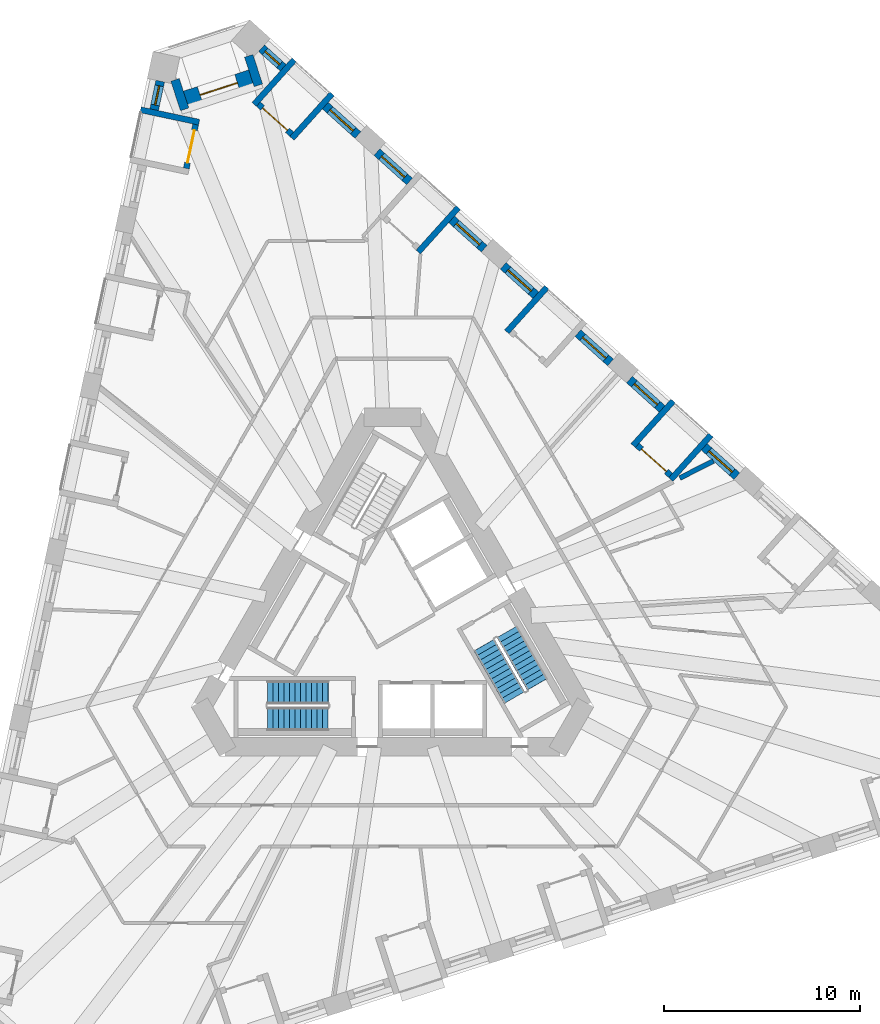
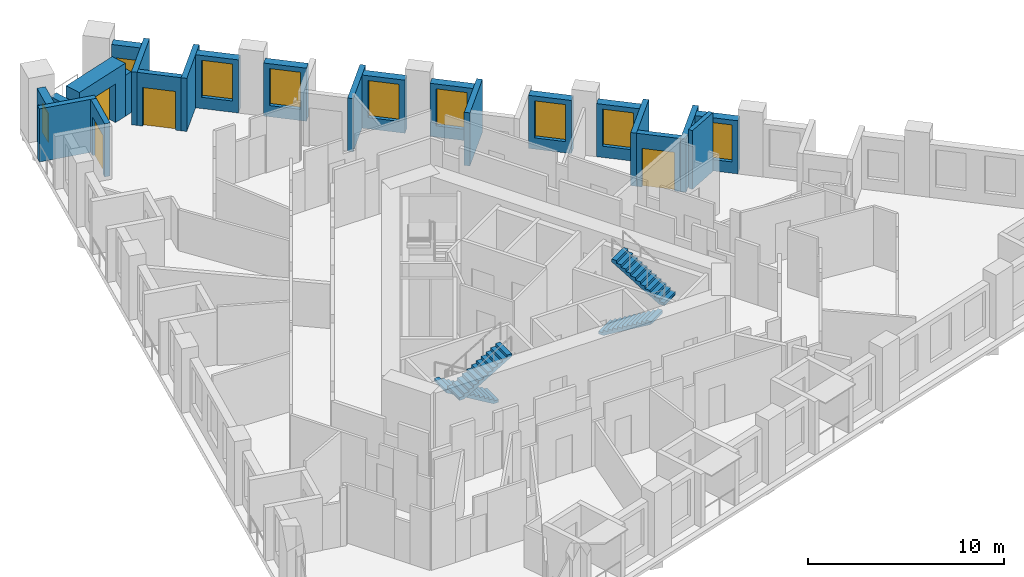
# One storey, part 9 of 13: 23 walls, 9 windows, 4 doors, 4 stair flights, 13 openings, 2 elements without a shape of their own.
"""IFC4 building model written with IfcOpenShell, lengths in metres."""

from ifc_helpers import new_model, si_unit, direction, frame, frame_2d, origin, place, context, subcontext, project, spatial, polyline, rectangle, outline, extrude, material, layer, layer_set, type_object, element, fill, aggregate, save


model = new_model("IFC4")

# Units and contexts
model_context = context("Model", 3, precision=1e-05, world=origin(), true_north=direction((0.0, 1.0)))
body_context = subcontext(model_context, "Body", "Model", "MODEL_VIEW")
ifc_project = project(units=[si_unit("LENGTHUNIT", "METRE"), si_unit("AREAUNIT", "SQUARE_METRE"), si_unit("VOLUMEUNIT", "CUBIC_METRE"), si_unit("PLANEANGLEUNIT", "RADIAN"), si_unit("MASSUNIT", "GRAM", prefix="KILO")], contexts=[model_context])

# Site, building, storey
site_placement = place(None, origin())
site = spatial("IfcSite", under=ifc_project, at=site_placement, CompositionType="ELEMENT")
building_placement = place(site_placement, origin())
building = spatial("IfcBuilding", under=site, at=building_placement, Name="Tramontana Tower", CompositionType="ELEMENT")
storey_placement = place(building_placement, frame((0.0, 0.0, 112.39990234375)))
storey = spatial("IfcBuildingStorey", under=building, at=storey_placement, Name="L25", CompositionType="ELEMENT", Elevation=112.39990234375)

# Wall, opening, window
ifc_material_1 = material(Name="Precast concrete 60 MPa", Category="concrete")
ifc_layer_1 = layer(ifc_material_1, 0.449951171875)
ifc_layer_set_1 = layer_set([ifc_layer_1], Name="Precast concrete 60 MPa, 450 mm")
wall_type_1 = type_object("IfcWallType", Name="EW1 Stone-faced precast wall 450", PredefinedType="SOLIDWALL", material=ifc_layer_set_1)
wall_1_placement = place(storey_placement, frame((-11.835693359375, 27.645751953125, 0.0), z_axis=(0.0, 0.0, 1.0), x_axis=(-0.207880358131, -0.978154260178, 0.0)))
wall_1 = element("IfcWall", 1, at=wall_1_placement, inside=storey, type_object=wall_type_1, Name="External wall L25 face 0 bay 1", PredefinedType="SOLIDWALL", context=body_context, shape_type="SweptSolid", body=[
    extrude(rectangle(XDim=1.48681640625, YDim=0.449951171875, at=frame_2d((0.743408203125, 0.0))), origin(), (0.0, 0.0, 1.0), 3.300048828125),
])
opening_1_placement = place(wall_1_placement, frame((0.243408203125, 0.0, 0.699951171875)))
opening_1 = element("IfcOpeningElement", 2, at=opening_1_placement, cuts=wall_1, Name="Opening N1L", PredefinedType="OPENING", context=body_context, shape_type="SweptSolid", body=[
    extrude(rectangle(XDim=1.0, YDim=1.800048828125, at=frame_2d((0.5, 0.89990234375))), frame((0.0, 0.23486328125, 0.0), z_axis=(0.0, -1.0, 0.0), x_axis=(1.0, 0.0, 0.0)), (0.0, 0.0, 1.0), 0.469970703125),
])
ifc_material_2 = material(Name="Aluminum frame, double glazing unit", Category="aluminium")
window_type_1 = type_object("IfcWindowType", Name="N1L Window 1 x 1.8", PartitioningType="SINGLE_PANEL", PredefinedType="WINDOW", material=ifc_material_2)
window_1_placement = place(opening_1_placement, origin())
window_1 = element("IfcWindow", 3, at=window_1_placement, inside=storey, type_object=window_type_1, Name="Window N1L L25 face 0 module 1", OverallHeight=1.800048828125, OverallWidth=1.0, PartitioningType="SINGLE_PANEL", PredefinedType="WINDOW", context=body_context, shape_type="SweptSolid", body=[
    extrude(rectangle(XDim=1.0, YDim=1.800048828125, at=frame_2d((0.5, 0.89990234375))), frame((0.0, 0.030029296875, 0.0), z_axis=(0.0, -1.0, 0.0), x_axis=(1.0, 0.0, 0.0)), (0.0, 0.0, 1.0), 0.06005859375),
])
fill(opening_1, window_1)

wall_2_placement = place(storey_placement, frame((17.54541015625, 7.51513671875, 0.0), z_axis=(0.0, 0.0, 1.0), x_axis=(-0.743142151309, 0.669133576311, 0.0)))
wall_2 = element("IfcWall", 4, at=wall_2_placement, inside=storey, type_object=wall_type_1, Name="External wall L25 face 2 bay 3", PredefinedType="SOLIDWALL", context=body_context, shape_type="SweptSolid", body=[
    extrude(rectangle(XDim=2.236572265625, YDim=0.449951171875, at=frame_2d((1.1181640625, 0.0))), origin(), (0.0, 0.0, 1.0), 3.300048828125),
])
opening_2_placement = place(wall_2_placement, frame((0.318359375, 0.0, 0.699951171875)))
opening_2 = element("IfcOpeningElement", 5, at=opening_2_placement, cuts=wall_2, Name="Opening M1", PredefinedType="OPENING", context=body_context, shape_type="SweptSolid", body=[
    extrude(rectangle(XDim=1.60009765625, YDim=2.300048828125, at=frame_2d((0.800048828125, 1.14990234375))), frame((0.0, 0.23486328125, 0.0), z_axis=(0.0, -1.0, 0.0), x_axis=(1.0, 0.0, 0.0)), (0.0, 0.0, 1.0), 0.469970703125),
])
ifc_material_3 = material(Name="Aluminum frame, double glazing unit", Category="aluminium")
window_type_2 = type_object("IfcWindowType", Name="M1 Window 1.6 x 2.3", PartitioningType="SINGLE_PANEL", PredefinedType="WINDOW", material=ifc_material_3)
window_2_placement = place(opening_2_placement, origin())
window_2 = element("IfcWindow", 6, at=window_2_placement, inside=storey, type_object=window_type_2, Name="Window M1 L25 face 2 module 7", OverallHeight=2.300048828125, OverallWidth=1.60009765625, PartitioningType="SINGLE_PANEL", PredefinedType="WINDOW", context=body_context, shape_type="SweptSolid", body=[
    extrude(rectangle(XDim=1.60009765625, YDim=2.300048828125, at=frame_2d((0.800048828125, 1.14990234375))), frame((0.0, 0.030029296875, 0.0), z_axis=(0.0, -1.0, 0.0), x_axis=(1.0, 0.0, 0.0)), (0.0, 0.0, 1.0), 0.06005859375),
])
fill(opening_2, window_2)

wall_3_placement = place(storey_placement, frame((13.738037109375, 10.943359375, 0.0), z_axis=(0.0, 0.0, 1.0), x_axis=(-0.743191019375, 0.669079299276, 0.0)))
wall_3 = element("IfcWall", 7, at=wall_3_placement, inside=storey, type_object=wall_type_1, Name="External wall L25 face 2 bay 3", PredefinedType="SOLIDWALL", context=body_context, shape_type="SweptSolid", body=[
    extrude(rectangle(XDim=2.23681640625, YDim=0.449951171875, at=frame_2d((1.118408203125, 0.0))), origin(), (0.0, 0.0, 1.0), 3.300048828125),
])
opening_3_placement = place(wall_3_placement, frame((0.318359375, 0.0, 0.699951171875)))
opening_3 = element("IfcOpeningElement", 8, at=opening_3_placement, cuts=wall_3, Name="Opening M1", PredefinedType="OPENING", context=body_context, shape_type="SweptSolid", body=[
    extrude(rectangle(XDim=1.60009765625, YDim=2.300048828125, at=frame_2d((0.800048828125, 1.14990234375))), frame((0.0, 0.23486328125, 0.0), z_axis=(0.0, -1.0, 0.0), x_axis=(1.0, 0.0, 0.0)), (0.0, 0.0, 1.0), 0.469970703125),
])
window_3_placement = place(opening_3_placement, origin())
window_3 = element("IfcWindow", 9, at=window_3_placement, inside=storey, type_object=window_type_2, Name="Window M1 L25 face 2 module 9", OverallHeight=2.300048828125, OverallWidth=1.60009765625, PartitioningType="SINGLE_PANEL", PredefinedType="WINDOW", context=body_context, shape_type="SweptSolid", body=[
    extrude(rectangle(XDim=1.60009765625, YDim=2.300048828125, at=frame_2d((0.800048828125, 1.14990234375))), frame((0.0, 0.030029296875, 0.0), z_axis=(0.0, -1.0, 0.0), x_axis=(1.0, 0.0, 0.0)), (0.0, 0.0, 1.0), 0.06005859375),
])
fill(opening_3, window_3)

wall_4_placement = place(storey_placement, frame((11.109619140625, 13.309814453125, 0.0), z_axis=(0.0, 0.0, 1.0), x_axis=(-0.743087873176, 0.669193852885, 0.0)))
wall_4 = element("IfcWall", 10, at=wall_4_placement, inside=storey, type_object=wall_type_1, Name="External wall L25 face 2 bay 4", PredefinedType="SOLIDWALL", context=body_context, shape_type="SweptSolid", body=[
    extrude(rectangle(XDim=2.23681640625, YDim=0.449951171875, at=frame_2d((1.118408203125, 0.0))), origin(), (0.0, 0.0, 1.0), 3.300048828125),
])
opening_4_placement = place(wall_4_placement, frame((0.318359375, 0.0, 0.699951171875)))
opening_4 = element("IfcOpeningElement", 11, at=opening_4_placement, cuts=wall_4, Name="Opening M1", PredefinedType="OPENING", context=body_context, shape_type="SweptSolid", body=[
    extrude(rectangle(XDim=1.60009765625, YDim=2.300048828125, at=frame_2d((0.800048828125, 1.14990234375))), frame((0.0, 0.23486328125, 0.0), z_axis=(0.0, -1.0, 0.0), x_axis=(1.0, 0.0, 0.0)), (0.0, 0.0, 1.0), 0.469970703125),
])
window_4_placement = place(opening_4_placement, origin())
window_4 = element("IfcWindow", 12, at=window_4_placement, inside=storey, type_object=window_type_2, Name="Window M1 L25 face 2 module 10", OverallHeight=2.300048828125, OverallWidth=1.60009765625, PartitioningType="SINGLE_PANEL", PredefinedType="WINDOW", context=body_context, shape_type="SweptSolid", body=[
    extrude(rectangle(XDim=1.60009765625, YDim=2.300048828125, at=frame_2d((0.800048828125, 1.14990234375))), frame((0.0, 0.030029296875, 0.0), z_axis=(0.0, -1.0, 0.0), x_axis=(1.0, 0.0, 0.0)), (0.0, 0.0, 1.0), 0.06005859375),
])
fill(opening_4, window_4)

wall_5_placement = place(storey_placement, frame((7.30224609375, 16.73828125, 0.0), z_axis=(0.0, 0.0, 1.0), x_axis=(-0.743191019375, 0.669079299276, 0.0)))
wall_5 = element("IfcWall", 13, at=wall_5_placement, inside=storey, type_object=wall_type_1, Name="External wall L25 face 2 bay 4", PredefinedType="SOLIDWALL", context=body_context, shape_type="SweptSolid", body=[
    extrude(rectangle(XDim=2.23681640625, YDim=0.449951171875, at=frame_2d((1.118408203125, 0.0))), origin(), (0.0, 0.0, 1.0), 3.300048828125),
])
opening_5_placement = place(wall_5_placement, frame((0.318359375, 0.0, 0.699951171875)))
opening_5 = element("IfcOpeningElement", 14, at=opening_5_placement, cuts=wall_5, Name="Opening M1", PredefinedType="OPENING", context=body_context, shape_type="SweptSolid", body=[
    extrude(rectangle(XDim=1.60009765625, YDim=2.300048828125, at=frame_2d((0.800048828125, 1.14990234375))), frame((0.0, 0.23486328125, 0.0), z_axis=(0.0, -1.0, 0.0), x_axis=(1.0, 0.0, 0.0)), (0.0, 0.0, 1.0), 0.469970703125),
])
window_5_placement = place(opening_5_placement, origin())
window_5 = element("IfcWindow", 15, at=window_5_placement, inside=storey, type_object=window_type_2, Name="Window M1 L25 face 2 module 12", OverallHeight=2.300048828125, OverallWidth=1.60009765625, PartitioningType="SINGLE_PANEL", PredefinedType="WINDOW", context=body_context, shape_type="SweptSolid", body=[
    extrude(rectangle(XDim=1.60009765625, YDim=2.300048828125, at=frame_2d((0.800048828125, 1.14990234375))), frame((0.0, 0.030029296875, 0.0), z_axis=(0.0, -1.0, 0.0), x_axis=(1.0, 0.0, 0.0)), (0.0, 0.0, 1.0), 0.06005859375),
])
fill(opening_5, window_5)

wall_6_placement = place(storey_placement, frame((4.673828125, 19.104736328125, 0.0), z_axis=(0.0, 0.0, 1.0), x_axis=(-0.743191019375, 0.669079299276, 0.0)))
wall_6 = element("IfcWall", 16, at=wall_6_placement, inside=storey, type_object=wall_type_1, Name="External wall L25 face 2 bay 5", PredefinedType="SOLIDWALL", context=body_context, shape_type="SweptSolid", body=[
    extrude(rectangle(XDim=2.23681640625, YDim=0.449951171875, at=frame_2d((1.118408203125, 0.0))), origin(), (0.0, 0.0, 1.0), 3.300048828125),
])
opening_6_placement = place(wall_6_placement, frame((0.318359375, 0.0, 0.699951171875)))
opening_6 = element("IfcOpeningElement", 17, at=opening_6_placement, cuts=wall_6, Name="Opening M1", PredefinedType="OPENING", context=body_context, shape_type="SweptSolid", body=[
    extrude(rectangle(XDim=1.60009765625, YDim=2.300048828125, at=frame_2d((0.800048828125, 1.14990234375))), frame((0.0, 0.23486328125, 0.0), z_axis=(0.0, -1.0, 0.0), x_axis=(1.0, 0.0, 0.0)), (0.0, 0.0, 1.0), 0.469970703125),
])
window_6_placement = place(opening_6_placement, origin())
window_6 = element("IfcWindow", 18, at=window_6_placement, inside=storey, type_object=window_type_2, Name="Window M1 L25 face 2 module 13", OverallHeight=2.300048828125, OverallWidth=1.60009765625, PartitioningType="SINGLE_PANEL", PredefinedType="WINDOW", context=body_context, shape_type="SweptSolid", body=[
    extrude(rectangle(XDim=1.60009765625, YDim=2.300048828125, at=frame_2d((0.800048828125, 1.14990234375))), frame((0.0, 0.030029296875, 0.0), z_axis=(0.0, -1.0, 0.0), x_axis=(1.0, 0.0, 0.0)), (0.0, 0.0, 1.0), 0.06005859375),
])
fill(opening_6, window_6)

wall_7_placement = place(storey_placement, frame((0.8662109375, 22.532958984375, 0.0), z_axis=(0.0, 0.0, 1.0), x_axis=(-0.743087873176, 0.669193852885, 0.0)))
wall_7 = element("IfcWall", 19, at=wall_7_placement, inside=storey, type_object=wall_type_1, Name="External wall L25 face 2 bay 5", PredefinedType="SOLIDWALL", context=body_context, shape_type="SweptSolid", body=[
    extrude(rectangle(XDim=2.23681640625, YDim=0.449951171875, at=frame_2d((1.118408203125, 0.0))), origin(), (0.0, 0.0, 1.0), 3.300048828125),
])
opening_7_placement = place(wall_7_placement, frame((0.318359375, 0.0, 0.699951171875)))
opening_7 = element("IfcOpeningElement", 20, at=opening_7_placement, cuts=wall_7, Name="Opening M1", PredefinedType="OPENING", context=body_context, shape_type="SweptSolid", body=[
    extrude(rectangle(XDim=1.60009765625, YDim=2.300048828125, at=frame_2d((0.800048828125, 1.14990234375))), frame((0.0, 0.23486328125, 0.0), z_axis=(0.0, -1.0, 0.0), x_axis=(1.0, 0.0, 0.0)), (0.0, 0.0, 1.0), 0.469970703125),
])
window_7_placement = place(opening_7_placement, origin())
window_7 = element("IfcWindow", 21, at=window_7_placement, inside=storey, type_object=window_type_2, Name="Window M1 L25 face 2 module 15", OverallHeight=2.300048828125, OverallWidth=1.60009765625, PartitioningType="SINGLE_PANEL", PredefinedType="WINDOW", context=body_context, shape_type="SweptSolid", body=[
    extrude(rectangle(XDim=1.60009765625, YDim=2.300048828125, at=frame_2d((0.800048828125, 1.14990234375))), frame((0.0, 0.030029296875, 0.0), z_axis=(0.0, -1.0, 0.0), x_axis=(1.0, 0.0, 0.0)), (0.0, 0.0, 1.0), 0.06005859375),
])
fill(opening_7, window_7)

wall_8_placement = place(storey_placement, frame((-1.761962890625, 24.899658203125, 0.0), z_axis=(0.0, 0.0, 1.0), x_axis=(-0.743191019375, 0.669079299276, 0.0)))
wall_8 = element("IfcWall", 22, at=wall_8_placement, inside=storey, type_object=wall_type_1, Name="External wall L25 face 2 bay 6", PredefinedType="SOLIDWALL", context=body_context, shape_type="SweptSolid", body=[
    extrude(rectangle(XDim=2.23681640625, YDim=0.449951171875, at=frame_2d((1.118408203125, 0.0))), origin(), (0.0, 0.0, 1.0), 3.300048828125),
])
opening_8_placement = place(wall_8_placement, frame((0.318359375, 0.0, 0.699951171875)))
opening_8 = element("IfcOpeningElement", 23, at=opening_8_placement, cuts=wall_8, Name="Opening M1", PredefinedType="OPENING", context=body_context, shape_type="SweptSolid", body=[
    extrude(rectangle(XDim=1.60009765625, YDim=2.300048828125, at=frame_2d((0.800048828125, 1.14990234375))), frame((0.0, 0.23486328125, 0.0), z_axis=(0.0, -1.0, 0.0), x_axis=(1.0, 0.0, 0.0)), (0.0, 0.0, 1.0), 0.469970703125),
])
window_8_placement = place(opening_8_placement, origin())
window_8 = element("IfcWindow", 24, at=window_8_placement, inside=storey, type_object=window_type_2, Name="Window M1 L25 face 2 module 16", OverallHeight=2.300048828125, OverallWidth=1.60009765625, PartitioningType="SINGLE_PANEL", PredefinedType="WINDOW", context=body_context, shape_type="SweptSolid", body=[
    extrude(rectangle(XDim=1.60009765625, YDim=2.300048828125, at=frame_2d((0.800048828125, 1.14990234375))), frame((0.0, 0.030029296875, 0.0), z_axis=(0.0, -1.0, 0.0), x_axis=(1.0, 0.0, 0.0)), (0.0, 0.0, 1.0), 0.06005859375),
])
fill(opening_8, window_8)

wall_9_placement = place(storey_placement, frame((-5.569580078125, 28.327880859375, 0.0), z_axis=(0.0, 0.0, 1.0), x_axis=(-0.743089972274, 0.669191521992, 0.0)))
wall_9 = element("IfcWall", 25, at=wall_9_placement, inside=storey, type_object=wall_type_1, Name="External wall L25 face 2 bay 6", PredefinedType="SOLIDWALL", context=body_context, shape_type="SweptSolid", body=[
    extrude(rectangle(XDim=1.486572265625, YDim=0.449951171875, at=frame_2d((0.7431640625, 0.0))), origin(), (0.0, 0.0, 1.0), 3.300048828125),
])
opening_9_placement = place(wall_9_placement, frame((0.243408203125, 0.0, 0.699951171875)))
opening_9 = element("IfcOpeningElement", 26, at=opening_9_placement, cuts=wall_9, Name="Opening N1L", PredefinedType="OPENING", context=body_context, shape_type="SweptSolid", body=[
    extrude(rectangle(XDim=1.0, YDim=1.800048828125, at=frame_2d((0.5, 0.89990234375))), frame((0.0, 0.23486328125, 0.0), z_axis=(0.0, -1.0, 0.0), x_axis=(1.0, 0.0, 0.0)), (0.0, 0.0, 1.0), 0.469970703125),
])
window_9_placement = place(opening_9_placement, origin())
window_9 = element("IfcWindow", 27, at=window_9_placement, inside=storey, type_object=window_type_1, Name="Window N1L L25 face 2 module 18", OverallHeight=1.800048828125, OverallWidth=1.0, PartitioningType="SINGLE_PANEL", PredefinedType="WINDOW", context=body_context, shape_type="SweptSolid", body=[
    extrude(rectangle(XDim=1.0, YDim=1.800048828125, at=frame_2d((0.5, 0.89990234375))), frame((0.0, 0.030029296875, 0.0), z_axis=(0.0, -1.0, 0.0), x_axis=(1.0, 0.0, 0.0)), (0.0, 0.0, 1.0), 0.06005859375),
])
fill(opening_9, window_9)

# Walls
for number, where, z_axis, x_axis, name in (
    (28, (-11.08056640625, 27.71142578125, 0.0), (0.0, 0.0, 1.0), (0.309030142399, -0.951052244143, 0.0), "Corner loggia side wall L25 K20l"),
    (29, (-7.323974609375, 28.93212890625, 0.0), (0.0, 0.0, 1.0), (0.309030142399, -0.951052244143, 0.0), "Corner loggia side wall L25 K20r"),
):
    element("IfcWall", number, at=place(storey_placement, frame(where, z_axis=z_axis, x_axis=x_axis)), inside=storey, type_object=wall_type_1, Name=name, PredefinedType="SOLIDWALL", context=body_context, shape_type="SweptSolid", body=[
        extrude(rectangle(XDim=1.579345703125, YDim=0.449951171875, at=frame_2d((0.78955078125, 0.0))), origin(), (0.0, 0.0, 1.0), 2.550048828125),
    ])

# Wall, opening, door
ifc_material_4 = material(Name="Precast concrete 60 MPa", Category="concrete")
ifc_layer_2 = layer(ifc_material_4, 0.89990234375)
ifc_layer_set_2 = layer_set([ifc_layer_2], Name="EW2 Stone-faced corner loggia wall 900")
wall_type_2 = type_object("IfcWallType", Name="EW2 Stone-faced corner loggia wall 900", PredefinedType="SOLIDWALL", material=ifc_layer_set_2)
wall_10_placement = place(storey_placement, frame((-10.517578125, 26.70703125, 0.0), z_axis=(0.0, 0.0, 1.0), x_axis=(0.951055596592, 0.309019824916, 0.0)))
wall_10 = element("IfcWall", 30, at=wall_10_placement, inside=storey, type_object=wall_type_2, Name="Corner loggia wall L25 K20", PredefinedType="SOLIDWALL", context=body_context, shape_type="SweptSolid", body=[
    extrude(rectangle(XDim=3.5, YDim=0.89990234375, at=frame_2d((1.75, 0.0))), origin(), (0.0, 0.0, 1.0), 3.300048828125),
])
opening_10_placement = place(wall_10_placement, frame((0.75, 0.0, 0.0)))
opening_10 = element("IfcOpeningElement", 31, at=opening_10_placement, cuts=wall_10, Name="Opening BD-20C", PredefinedType="OPENING", context=body_context, shape_type="SweptSolid", body=[
    extrude(rectangle(XDim=2.0, YDim=2.39990234375, at=frame_2d((1.0, 1.199951171875))), frame((0.0, 0.4599609375, 0.0), z_axis=(0.0, -1.0, 0.0), x_axis=(1.0, 0.0, 0.0)), (0.0, 0.0, 1.0), 0.919921875),
])
ifc_material_5 = material(Name="Aluminum frame, double glazing unit", Category="aluminium")
door_type_1 = type_object("IfcDoorType", Name="BC1 Sliding door 2 x 2.4", OperationType="SLIDING_TO_LEFT", PredefinedType="DOOR", material=ifc_material_5)
door_1_placement = place(opening_10_placement, origin())
door_1 = element("IfcDoor", 32, at=door_1_placement, inside=storey, type_object=door_type_1, Name="Corner loggia door L25 K20", OperationType="SLIDING_TO_LEFT", OverallHeight=2.39990234375, OverallWidth=2.0, PredefinedType="DOOR", context=body_context, shape_type="SweptSolid", body=[
    extrude(rectangle(XDim=2.0, YDim=2.39990234375, at=frame_2d((1.0, 1.199951171875))), frame((0.0, 0.02490234375, 0.0), z_axis=(0.0, -1.0, 0.0), x_axis=(1.0, 0.0, 0.0)), (0.0, 0.0, 1.0), 0.050048828125),
])
fill(opening_10, door_1)

ifc_material_6 = material(Name="Precast concrete 60 MPa", Category="concrete")
ifc_layer_3 = layer(ifc_material_6, 0.300048828125)
ifc_layer_set_3 = layer_set([ifc_layer_3], Name="LW1 Stone-faced loggia wall 300")
wall_type_3 = type_object("IfcWallType", Name="LW1 Stone-faced loggia wall 300", PredefinedType="SOLIDWALL", material=ifc_layer_set_3)
wall_11_placement = place(storey_placement, frame((-10.031005859375, 25.435302734375, 0.0), z_axis=(0.0, 0.0, 1.0), x_axis=(-0.207866417042, -0.978157222877, 0.0)))
wall_11 = element("IfcWall", 33, at=wall_11_placement, inside=storey, type_object=wall_type_3, Name="Loggia wall L25 G2S0.1", PredefinedType="SOLIDWALL", context=body_context, shape_type="SweptSolid", body=[
    extrude(rectangle(XDim=2.286865234375, YDim=0.300048828125, at=frame_2d((1.1435546875, 0.0))), origin(), (0.0, 0.0, 1.0), 3.300048828125),
])
opening_11_placement = place(wall_11_placement, frame((0.29345703125, 0.0, 0.0)))
opening_11 = element("IfcOpeningElement", 34, at=opening_11_placement, cuts=wall_11, Name="Opening BD-2S0-01", PredefinedType="OPENING", context=body_context, shape_type="SweptSolid", body=[
    extrude(rectangle(XDim=1.699951171875, YDim=2.39990234375, at=frame_2d((0.85009765625, 1.199951171875))), frame((0.0, 0.159912109375, 0.0), z_axis=(0.0, -1.0, 0.0), x_axis=(1.0, 0.0, 0.0)), (0.0, 0.0, 1.0), 0.320068359375),
])
ifc_material_7 = material(Name="Aluminum frame, double glazing unit", Category="aluminium")
door_type_2 = type_object("IfcDoorType", Name="BD1 Sliding door 1.7 x 2.4", OperationType="SLIDING_TO_LEFT", PredefinedType="DOOR", material=ifc_material_7)
door_2_placement = place(opening_11_placement, origin())
door_2 = element("IfcDoor", 35, at=door_2_placement, inside=storey, type_object=door_type_2, Name="Loggia door L25 G2S0.1", OperationType="SLIDING_TO_LEFT", OverallHeight=2.39990234375, OverallWidth=1.699951171875, PredefinedType="DOOR", context=body_context, shape_type="SweptSolid", body=[
    extrude(rectangle(XDim=1.699951171875, YDim=2.39990234375, at=frame_2d((0.85009765625, 1.199951171875))), frame((0.0, 0.02490234375, 0.0), z_axis=(0.0, -1.0, 0.0), x_axis=(1.0, 0.0, 0.0)), (0.0, 0.0, 1.0), 0.050048828125),
])
fill(opening_11, door_2)

# Wall
wall_12_placement = place(storey_placement, frame((-12.83642578125, 26.18505859375, 0.0), z_axis=(0.0, 0.0, 1.0), x_axis=(0.978154782045, -0.207877902534, 0.0)))
element("IfcWall", 36, at=wall_12_placement, inside=storey, type_object=wall_type_3, Name="Loggia return L25 G2S0.1a", PredefinedType="SOLIDWALL", context=body_context, shape_type="SweptSolid", body=[
    extrude(rectangle(XDim=3.050048828125, YDim=0.300048828125, at=frame_2d((1.52490234375, 0.0))), origin(), (0.0, 0.0, 1.0), 3.300048828125),
])

# Wall, opening, door
wall_13_placement = place(storey_placement, frame((14.17138671875, 7.55908203125, 0.0), z_axis=(0.0, 0.0, 1.0), x_axis=(-0.743134851659, 0.66914168324, 0.0)))
wall_13 = element("IfcWall", 37, at=wall_13_placement, inside=storey, type_object=wall_type_3, Name="Loggia wall L25 G2S2.7", PredefinedType="SOLIDWALL", context=body_context, shape_type="SweptSolid", body=[
    extrude(rectangle(XDim=2.28662109375, YDim=0.300048828125, at=frame_2d((1.143310546875, 0.0))), origin(), (0.0, 0.0, 1.0), 3.300048828125),
])
opening_12_placement = place(wall_13_placement, frame((0.29345703125, 0.0, 0.0)))
opening_12 = element("IfcOpeningElement", 38, at=opening_12_placement, cuts=wall_13, Name="Opening BD-2S2-07", PredefinedType="OPENING", context=body_context, shape_type="SweptSolid", body=[
    extrude(rectangle(XDim=1.699951171875, YDim=2.39990234375, at=frame_2d((0.85009765625, 1.199951171875))), frame((0.0, 0.159912109375, 0.0), z_axis=(0.0, -1.0, 0.0), x_axis=(1.0, 0.0, 0.0)), (0.0, 0.0, 1.0), 0.320068359375),
])
door_3_placement = place(opening_12_placement, origin())
door_3 = element("IfcDoor", 39, at=door_3_placement, inside=storey, type_object=door_type_2, Name="Loggia door L25 G2S2.7", OperationType="SLIDING_TO_LEFT", OverallHeight=2.39990234375, OverallWidth=1.699951171875, PredefinedType="DOOR", context=body_context, shape_type="SweptSolid", body=[
    extrude(rectangle(XDim=1.699951171875, YDim=2.39990234375, at=frame_2d((0.85009765625, 1.199951171875))), frame((0.0, 0.02490234375, 0.0), z_axis=(0.0, -1.0, 0.0), x_axis=(1.0, 0.0, 0.0)), (0.0, 0.0, 1.0), 0.050048828125),
])
fill(opening_12, door_3)

# Walls
for number, where, z_axis, x_axis, name in (
    (40, (16.223388671875, 9.61376953125, 0.0), (0.0, 0.0, 1.0), (-0.669115082961, -0.743158802514, 0.0), "Loggia return L25 G2S2.7a"),
    (41, (14.301025390625, 11.3447265625, 0.0), (0.0, 0.0, 1.0), (-0.669115082961, -0.743158802514, 0.0), "Loggia return L25 G2S2.7b"),
    (42, (7.865234375, 17.139404296875, 0.0), (0.0, 0.0, 1.0), (-0.669115082961, -0.743158802514, 0.0), "Loggia return L25 G2S2.10b"),
    (43, (3.351806640625, 21.203369140625, 0.0), (0.0, 0.0, 1.0), (-0.669115082961, -0.743158802514, 0.0), "Loggia return L25 G2S2.13a"),
):
    element("IfcWall", number, at=place(storey_placement, frame(where, z_axis=z_axis, x_axis=x_axis)), inside=storey, type_object=wall_type_3, Name=name, PredefinedType="SOLIDWALL", context=body_context, shape_type="SweptSolid", body=[
        extrude(rectangle(XDim=3.050048828125, YDim=0.300048828125, at=frame_2d((1.52490234375, 0.0))), origin(), (0.0, 0.0, 1.0), 3.300048828125),
    ])

# Wall, opening, door
wall_14_placement = place(storey_placement, frame((-5.135986328125, 24.943603515625, 0.0), z_axis=(0.0, 0.0, 1.0), x_axis=(-0.743182653308, 0.669088591909, 0.0)))
wall_14 = element("IfcWall", 44, at=wall_14_placement, inside=storey, type_object=wall_type_3, Name="Loggia wall L25 G2S2.16", PredefinedType="SOLIDWALL", context=body_context, shape_type="SweptSolid", body=[
    extrude(rectangle(XDim=2.28662109375, YDim=0.300048828125, at=frame_2d((1.143310546875, 0.0))), origin(), (0.0, 0.0, 1.0), 3.300048828125),
])
opening_13_placement = place(wall_14_placement, frame((0.29345703125, 0.0, 0.0)))
opening_13 = element("IfcOpeningElement", 45, at=opening_13_placement, cuts=wall_14, Name="Opening BD-2S2-16", PredefinedType="OPENING", context=body_context, shape_type="SweptSolid", body=[
    extrude(rectangle(XDim=1.699951171875, YDim=2.39990234375, at=frame_2d((0.85009765625, 1.199951171875))), frame((0.0, 0.159912109375, 0.0), z_axis=(0.0, -1.0, 0.0), x_axis=(1.0, 0.0, 0.0)), (0.0, 0.0, 1.0), 0.320068359375),
])
door_4_placement = place(opening_13_placement, origin())
door_4 = element("IfcDoor", 46, at=door_4_placement, inside=storey, type_object=door_type_2, Name="Loggia door L25 G2S2.16", OperationType="SLIDING_TO_LEFT", OverallHeight=2.39990234375, OverallWidth=1.699951171875, PredefinedType="DOOR", context=body_context, shape_type="SweptSolid", body=[
    extrude(rectangle(XDim=1.699951171875, YDim=2.39990234375, at=frame_2d((0.85009765625, 1.199951171875))), frame((0.0, 0.02490234375, 0.0), z_axis=(0.0, -1.0, 0.0), x_axis=(1.0, 0.0, 0.0)), (0.0, 0.0, 1.0), 0.050048828125),
])
fill(opening_13, door_4)

# Walls
for number, where, z_axis, x_axis, name in (
    (47, (-3.083984375, 26.998291015625, 0.0), (0.0, 0.0, 1.0), (-0.669159288314, -0.743118999127, 0.0), "Loggia return L25 G2S2.16a"),
    (48, (-5.00634765625, 28.729248046875, 0.0), (0.0, 0.0, 1.0), (-0.669115082961, -0.743158802514, 0.0), "Loggia return L25 G2S2.16b"),
):
    element("IfcWall", number, at=place(storey_placement, frame(where, z_axis=z_axis, x_axis=x_axis)), inside=storey, type_object=wall_type_3, Name=name, PredefinedType="SOLIDWALL", context=body_context, shape_type="SweptSolid", body=[
        extrude(rectangle(XDim=3.050048828125, YDim=0.300048828125, at=frame_2d((1.52490234375, 0.0))), origin(), (0.0, 0.0, 1.0), 3.300048828125),
    ])
ifc_material_8 = material(Name="Blockwork", Category="masonry")
ifc_layer_4 = layer(ifc_material_8, 0.25)
ifc_layer_set_4 = layer_set([ifc_layer_4], Name="PARTY WALL 250")
wall_type_4 = type_object("IfcWallType", Name="PARTY WALL 250", PredefinedType="SOLIDWALL", material=ifc_layer_set_4)
wall_15_placement = place(storey_placement, frame((16.349609375, 8.288818359375, 0.0), z_axis=(0.0, 0.0, 1.0), x_axis=(-0.891967268006, -0.452099980984, 0.0)))
element("IfcWall", 49, at=wall_15_placement, inside=storey, type_object=wall_type_4, Name="Wall v22-pw44", PredefinedType="SOLIDWALL", context=body_context, shape_type="SweptSolid", body=[
    extrude(rectangle(XDim=1.916015625, YDim=0.25, at=frame_2d((0.9580078125, 0.0))), origin(), (0.0, 0.0, 1.0), 3.650146484375),
])

# Stair, stair flights
ifc_material_9 = material(Name="Concrete 40 MPa", Category="concrete")
stair_type = type_object("IfcStairType", Name="EXIT STAIR 24 RISERS", PredefinedType="HALF_TURN_STAIR", material=ifc_material_9)
stair_1_placement = place(storey_placement, origin())
stair_1 = element("IfcStair", 50, at=stair_1_placement, inside=storey, type_object=stair_type, Name="L25 Exit stair ST2", PredefinedType="HALF_TURN_STAIR")
ifc_material_10 = material(Name="Concrete 40 MPa", Category="concrete")
ifc_layer_5 = layer(ifc_material_10, 0.14990234375)
ifc_layer_set_5 = layer_set([ifc_layer_5], Name="EXIT STAIR FLIGHT")
stair_flight_type = type_object("IfcStairFlightType", Name="EXIT STAIR FLIGHT", PredefinedType="STRAIGHT", material=ifc_layer_set_5)
stair_flight_1_placement = place(storey_placement, frame((-3.280029296875, -3.5, 0.0), z_axis=(0.0, 0.0, 1.0), x_axis=(-1.0, 0.0, 0.0)))
stair_flight_1 = element("IfcStairFlight", 51, at=stair_flight_1_placement, type_object=stair_flight_type, Name="ST2 flight 1", NumberOfRisers=12, NumberOfTreads=11, PredefinedType="STRAIGHT", RiserHeight=0.166666667, TreadLength=0.28, context=body_context, shape_type="SweptSolid", body=[
    extrude(outline(polyline([(-0.006103515625, 0.0), (-0.006103515625, 0.0400390625), (0.0, 0.0400390625), (0.0, 0.166748046875), (0.280029296875, 0.166748046875), (0.280029296875, 0.333251953125), (0.56005859375, 0.333251953125), (0.56005859375, 0.5), (0.840087890625, 0.5), (0.840087890625, 0.666748046875), (1.1201171875, 0.666748046875), (1.1201171875, 0.833251953125), (1.39990234375, 0.833251953125), (1.39990234375, 1.0), (1.679931640625, 1.0), (1.679931640625, 1.166748046875), (1.9599609375, 1.166748046875), (1.9599609375, 1.333251953125), (2.239990234375, 1.333251953125), (2.239990234375, 1.5), (2.52001953125, 1.5), (2.52001953125, 1.666748046875), (2.800048828125, 1.666748046875), (2.800048828125, 1.833251953125), (3.080078125, 1.833251953125), (3.0859375, 1.833251953125), (3.0859375, 1.658935546875), (0.299072265625, 0.0), (-0.006103515625, 0.0)])), frame((0.0, 0.60009765625, 0.0), z_axis=(0.0, -1.0, 0.0), x_axis=(1.0, 0.0, 0.0)), (0.0, 0.0, 1.0), 1.199951171875),
])
stair_flight_2_placement = place(storey_placement, frame((-6.360107421875, -4.85009765625, 2.0), z_axis=(0.0, 0.0, 1.0), x_axis=(1.0, 0.0, 0.0)))
stair_flight_2 = element("IfcStairFlight", 52, at=stair_flight_2_placement, type_object=stair_flight_type, Name="ST2 flight 2", NumberOfRisers=12, NumberOfTreads=11, PredefinedType="STRAIGHT", RiserHeight=0.166666667, TreadLength=0.28, context=body_context, shape_type="SweptSolid", body=[
    extrude(outline(polyline([(-0.006103515625, 0.0), (-0.006103515625, 0.0400390625), (0.0, 0.0400390625), (0.0, 0.166748046875), (0.280029296875, 0.166748046875), (0.280029296875, 0.333251953125), (0.56005859375, 0.333251953125), (0.56005859375, 0.5), (0.840087890625, 0.5), (0.840087890625, 0.666748046875), (1.1201171875, 0.666748046875), (1.1201171875, 0.833251953125), (1.39990234375, 0.833251953125), (1.39990234375, 1.0), (1.679931640625, 1.0), (1.679931640625, 1.166748046875), (1.9599609375, 1.166748046875), (1.9599609375, 1.333251953125), (2.239990234375, 1.333251953125), (2.239990234375, 1.5), (2.52001953125, 1.5), (2.52001953125, 1.666748046875), (2.800048828125, 1.666748046875), (2.800048828125, 1.833251953125), (3.080078125, 1.833251953125), (3.0859375, 1.833251953125), (3.0859375, 1.658935546875), (0.299072265625, 0.0), (-0.006103515625, 0.0)])), frame((0.0, 0.60009765625, 0.0), z_axis=(0.0, -1.0, 0.0), x_axis=(1.0, 0.0, 0.0)), (0.0, 0.0, 1.0), 1.199951171875),
])
aggregate(stair_1, [stair_flight_1, stair_flight_2])

stair_2_placement = place(storey_placement, origin())
stair_2 = element("IfcStair", 53, at=stair_2_placement, inside=storey, type_object=stair_type, Name="L25 Exit stair ST3", PredefinedType="HALF_TURN_STAIR")
stair_flight_3_placement = place(storey_placement, frame((4.671142578125, -1.090576171875, 0.0), z_axis=(0.0, 0.0, 1.0), x_axis=(0.5, -0.866025403784, 0.0)))
stair_flight_3 = element("IfcStairFlight", 54, at=stair_flight_3_placement, type_object=stair_flight_type, Name="ST3 flight 1", NumberOfRisers=12, NumberOfTreads=11, PredefinedType="STRAIGHT", RiserHeight=0.166666667, TreadLength=0.28, context=body_context, shape_type="SweptSolid", body=[
    extrude(outline(polyline([(-0.006103515625, 0.0), (-0.006103515625, 0.0400390625), (0.0, 0.0400390625), (0.0, 0.166748046875), (0.280029296875, 0.166748046875), (0.280029296875, 0.333251953125), (0.56005859375, 0.333251953125), (0.56005859375, 0.5), (0.840087890625, 0.5), (0.840087890625, 0.666748046875), (1.1201171875, 0.666748046875), (1.1201171875, 0.833251953125), (1.39990234375, 0.833251953125), (1.39990234375, 1.0), (1.679931640625, 1.0), (1.679931640625, 1.166748046875), (1.9599609375, 1.166748046875), (1.9599609375, 1.333251953125), (2.239990234375, 1.333251953125), (2.239990234375, 1.5), (2.52001953125, 1.5), (2.52001953125, 1.666748046875), (2.800048828125, 1.666748046875), (2.800048828125, 1.833251953125), (3.080078125, 1.833251953125), (3.0859375, 1.833251953125), (3.0859375, 1.658935546875), (0.299072265625, 0.0), (-0.006103515625, 0.0)])), frame((0.0, 0.60009765625, 0.0), z_axis=(0.0, -1.0, 0.0), x_axis=(1.0, 0.0, 0.0)), (0.0, 0.0, 1.0), 1.199951171875),
])
stair_flight_4_placement = place(storey_placement, frame((7.380126953125, -3.0830078125, 2.0), z_axis=(0.0, 0.0, 1.0), x_axis=(-0.5, 0.866025403784, 0.0)))
stair_flight_4 = element("IfcStairFlight", 55, at=stair_flight_4_placement, type_object=stair_flight_type, Name="ST3 flight 2", NumberOfRisers=12, NumberOfTreads=11, PredefinedType="STRAIGHT", RiserHeight=0.166666667, TreadLength=0.28, context=body_context, shape_type="SweptSolid", body=[
    extrude(outline(polyline([(-0.006103515625, 0.0), (-0.006103515625, 0.0400390625), (0.0, 0.0400390625), (0.0, 0.166748046875), (0.280029296875, 0.166748046875), (0.280029296875, 0.333251953125), (0.56005859375, 0.333251953125), (0.56005859375, 0.5), (0.840087890625, 0.5), (0.840087890625, 0.666748046875), (1.1201171875, 0.666748046875), (1.1201171875, 0.833251953125), (1.39990234375, 0.833251953125), (1.39990234375, 1.0), (1.679931640625, 1.0), (1.679931640625, 1.166748046875), (1.9599609375, 1.166748046875), (1.9599609375, 1.333251953125), (2.239990234375, 1.333251953125), (2.239990234375, 1.5), (2.52001953125, 1.5), (2.52001953125, 1.666748046875), (2.800048828125, 1.666748046875), (2.800048828125, 1.833251953125), (3.080078125, 1.833251953125), (3.0859375, 1.833251953125), (3.0859375, 1.658935546875), (0.299072265625, 0.0), (-0.006103515625, 0.0)])), frame((0.0, 0.60009765625, 0.0), z_axis=(0.0, -1.0, 0.0), x_axis=(1.0, 0.0, 0.0)), (0.0, 0.0, 1.0), 1.199951171875),
])
aggregate(stair_2, [stair_flight_3, stair_flight_4])

save(model, "model.ifc")
